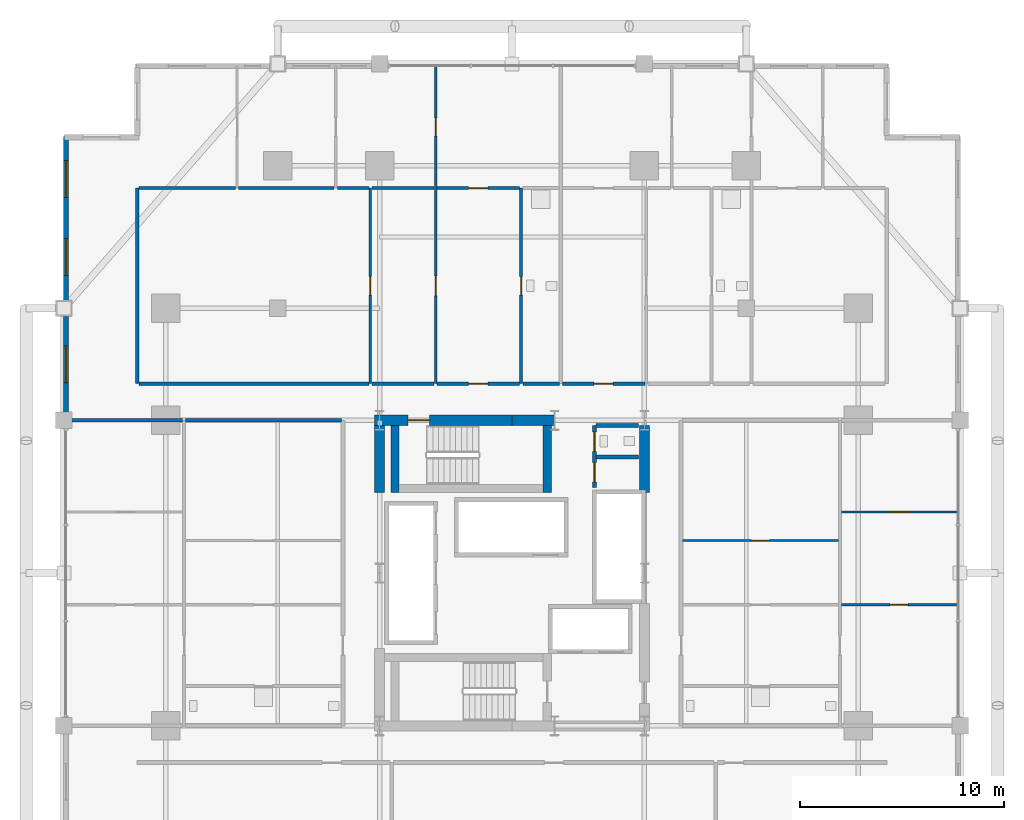
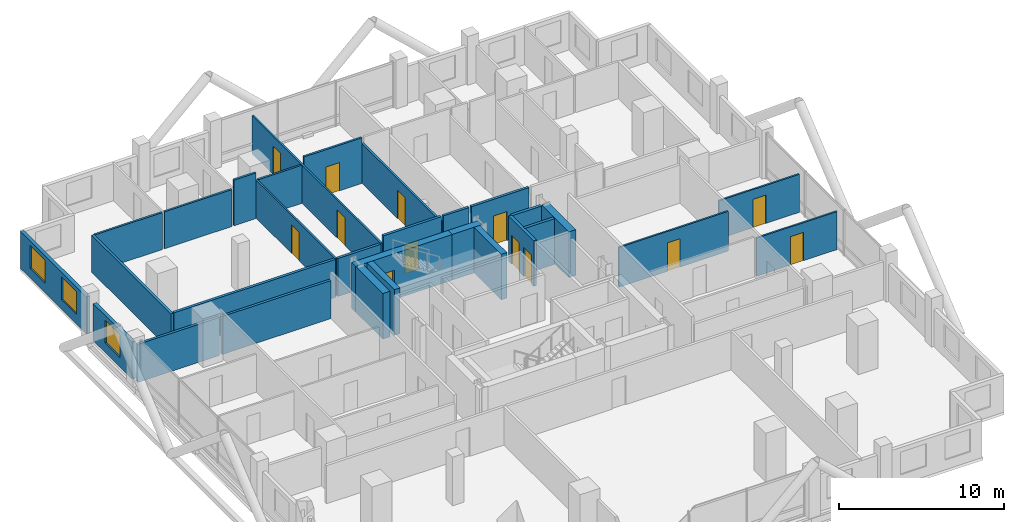
# One storey, part 23 of 27: 30 walls, 13 doors, 3 windows, 16 openings.
"""IFC4 building model written with IfcOpenShell, lengths in metres."""

from ifc_helpers import new_model, si_unit, direction, frame, frame_2d, origin, place, context, subcontext, project, spatial, rectangle, extrude, material, layer, layer_set, type_object, element, fill, save


model = new_model("IFC4")

# Units and contexts
model_context = context("Model", 3, precision=1e-05, world=origin(), true_north=direction((0.0, 1.0)))
body_context = subcontext(model_context, "Body", "Model", "MODEL_VIEW")
ifc_project = project(units=[si_unit("LENGTHUNIT", "METRE"), si_unit("AREAUNIT", "SQUARE_METRE"), si_unit("VOLUMEUNIT", "CUBIC_METRE"), si_unit("PLANEANGLEUNIT", "RADIAN"), si_unit("MASSUNIT", "GRAM", prefix="KILO")], contexts=[model_context])

# Site, building, storey
site_placement = place(None, origin())
site = spatial("IfcSite", under=ifc_project, at=site_placement, CompositionType="ELEMENT")
building_placement = place(site_placement, origin())
building = spatial("IfcBuilding", under=site, at=building_placement, Name="Barlavira Tower and Art Museum", CompositionType="ELEMENT")
storey_placement = place(building_placement, frame((0.0, 0.0, 61.199951171875)))
storey = spatial("IfcBuildingStorey", under=building, at=storey_placement, Name="L14", CompositionType="ELEMENT", Elevation=61.199951171875)

# Wall, opening, door
ifc_material_1 = material(Name="Gypsum acoustic stud partition", Category="gypsum")
ifc_layer_1 = layer(ifc_material_1, 0.1201171875, Name="Gypsum acoustic stud partition")
ifc_layer_set_1 = layer_set([ifc_layer_1], Name="Gypsum acoustic stud partition")
wall_type_1 = type_object("IfcWallType", Name="Apartment Internal Acoustic Partition 120", PredefinedType="PARTITIONING", material=ifc_layer_set_1)
wall_1_placement = place(storey_placement, frame((-6.949951171875, 9.300048828125, 0.0), z_axis=(0.0, 0.0, 1.0), x_axis=(0.0, 1.0, 0.0)))
wall_1 = element("IfcWall", 1, at=wall_1_placement, inside=storey, type_object=wall_type_1, Name="L14 Partition Wall 6", PredefinedType="PARTITIONING", context=body_context, shape_type="SweptSolid", body=[
    extrude(rectangle(XDim=9.599853515625, YDim=0.1201171875, at=frame_2d((4.7998046875, 0.0))), origin(), (0.0, 0.0, 1.0), 2.816162109375),
])
opening_1_placement = place(wall_1_placement, frame((4.35009765625, 0.0, 0.0)))
opening_1 = element("IfcOpeningElement", 2, at=opening_1_placement, cuts=wall_1, Name="Opening D-01", PredefinedType="OPENING", context=body_context, shape_type="SweptSolid", body=[
    extrude(rectangle(XDim=0.89990234375, YDim=2.10009765625, at=frame_2d((0.449951171875, 1.050048828125))), frame((0.0, 0.070068359375, 0.0), z_axis=(0.0, -1.0, 0.0), x_axis=(1.0, 0.0, 0.0)), (0.0, 0.0, 1.0), 0.14013671875),
])
ifc_material_2 = material(Name="Engineered coastal hardwood", Category="wood")
door_type_1 = type_object("IfcDoorType", Name="Internal Bedroom Timber Flush Door 900x2100", OperationType="NOTDEFINED", PredefinedType="DOOR", material=ifc_material_2)
door_1_placement = place(opening_1_placement, origin())
door_1 = element("IfcDoor", 3, at=door_1_placement, inside=storey, type_object=door_type_1, Name="Apartment N1 Walk-In Dressing Room Door", OperationType="SINGLE_SWING_LEFT", OverallHeight=2.10009765625, OverallWidth=0.89990234375, PredefinedType="DOOR", context=body_context, shape_type="SweptSolid", body=[
    extrude(rectangle(XDim=0.89990234375, YDim=2.10009765625, at=frame_2d((0.449951171875, 1.050048828125))), frame((0.0, 0.02490234375, 0.0), z_axis=(0.0, -1.0, 0.0), x_axis=(1.0, 0.0, 0.0)), (0.0, 0.0, 1.0), 0.050048828125),
])
fill(opening_1, door_1)

# Wall, openings, doors
wall_2_placement = place(storey_placement, frame((-3.75, 9.300048828125, 0.0), z_axis=(0.0, 0.0, 1.0), x_axis=(0.0, 1.0, 0.0)))
wall_2 = element("IfcWall", 4, at=wall_2_placement, inside=storey, type_object=wall_type_1, Name="L14 Partition Wall 8", PredefinedType="PARTITIONING", context=body_context, shape_type="SweptSolid", body=[
    extrude(rectangle(XDim=15.599853515625, YDim=0.1201171875, at=frame_2d((7.7998046875, 0.0))), origin(), (0.0, 0.0, 1.0), 2.816162109375),
])
opening_2_placement = place(wall_2_placement, frame((4.324951171875, 0.0, 0.0)))
opening_2 = element("IfcOpeningElement", 5, at=opening_2_placement, cuts=wall_2, Name="Opening D-02", PredefinedType="OPENING", context=body_context, shape_type="SweptSolid", body=[
    extrude(rectangle(XDim=0.949951171875, YDim=2.10009765625, at=frame_2d((0.47509765625, 1.050048828125))), frame((0.0, 0.070068359375, 0.0), z_axis=(0.0, -1.0, 0.0), x_axis=(1.0, 0.0, 0.0)), (0.0, 0.0, 1.0), 0.14013671875),
])
opening_3_placement = place(wall_2_placement, frame((12.14990234375, 0.0, 0.0)))
opening_3 = element("IfcOpeningElement", 6, at=opening_3_placement, cuts=wall_2, Name="Opening D-01", PredefinedType="OPENING", context=body_context, shape_type="SweptSolid", body=[
    extrude(rectangle(XDim=0.89990234375, YDim=2.10009765625, at=frame_2d((0.449951171875, 1.050048828125))), frame((0.0, 0.070068359375, 0.0), z_axis=(0.0, -1.0, 0.0), x_axis=(1.0, 0.0, 0.0)), (0.0, 0.0, 1.0), 0.14013671875),
])
door_2_placement = place(opening_3_placement, origin())
door_2 = element("IfcDoor", 7, at=door_2_placement, inside=storey, type_object=door_type_1, Name="Apartment N1 Bedroom 1 Door", OperationType="SINGLE_SWING_LEFT", OverallHeight=2.10009765625, OverallWidth=0.89990234375, PredefinedType="DOOR", context=body_context, shape_type="SweptSolid", body=[
    extrude(rectangle(XDim=0.89990234375, YDim=2.10009765625, at=frame_2d((0.449951171875, 1.050048828125))), frame((0.0, 0.02490234375, 0.0), z_axis=(0.0, -1.0, 0.0), x_axis=(1.0, 0.0, 0.0)), (0.0, 0.0, 1.0), 0.050048828125),
])
fill(opening_3, door_2)
door_type_2 = type_object("IfcDoorType", Name="Living and Salon Glazed-Leaf Door 950x2100", OperationType="NOTDEFINED", PredefinedType="DOOR", material=ifc_material_2)
door_3_placement = place(opening_2_placement, origin())
door_3 = element("IfcDoor", 8, at=door_3_placement, inside=storey, type_object=door_type_2, Name="Apartment N1 Kitchen Door", OperationType="SINGLE_SWING_RIGHT", OverallHeight=2.10009765625, OverallWidth=0.949951171875, PredefinedType="DOOR", context=body_context, shape_type="SweptSolid", body=[
    extrude(rectangle(XDim=0.949951171875, YDim=2.10009765625, at=frame_2d((0.47509765625, 1.050048828125))), frame((0.0, 0.02490234375, 0.0), z_axis=(0.0, -1.0, 0.0), x_axis=(1.0, 0.0, 0.0)), (0.0, 0.0, 1.0), 0.050048828125),
])
fill(opening_2, door_3)

# Wall, opening, door
wall_3_placement = place(storey_placement, frame((16.179931640625, -1.550048828125, 0.0), z_axis=(0.0, 0.0, 1.0), x_axis=(1.0, 0.0, 0.0)))
wall_3 = element("IfcWall", 9, at=wall_3_placement, inside=storey, type_object=wall_type_1, Name="L14 Partition Wall 33", PredefinedType="PARTITIONING", context=body_context, shape_type="SweptSolid", body=[
    extrude(rectangle(XDim=5.64013671875, YDim=0.1201171875, at=frame_2d((2.820068359375, 0.0))), origin(), (0.0, 0.0, 1.0), 2.816162109375),
])
opening_4_placement = place(wall_3_placement, frame((2.3701171875, 0.0, 0.0)))
opening_4 = element("IfcOpeningElement", 10, at=opening_4_placement, cuts=wall_3, Name="Opening D-01", PredefinedType="OPENING", context=body_context, shape_type="SweptSolid", body=[
    extrude(rectangle(XDim=0.89990234375, YDim=2.10009765625, at=frame_2d((0.449951171875, 1.050048828125))), frame((0.0, 0.070068359375, 0.0), z_axis=(0.0, -1.0, 0.0), x_axis=(1.0, 0.0, 0.0)), (0.0, 0.0, 1.0), 0.14013671875),
])
door_4_placement = place(opening_4_placement, origin())
door_4 = element("IfcDoor", 11, at=door_4_placement, inside=storey, type_object=door_type_1, Name="Apartment E1 Bedroom 1 Door", OperationType="SINGLE_SWING_RIGHT", OverallHeight=2.10009765625, OverallWidth=0.89990234375, PredefinedType="DOOR", context=body_context, shape_type="SweptSolid", body=[
    extrude(rectangle(XDim=0.89990234375, YDim=2.10009765625, at=frame_2d((0.449951171875, 1.050048828125))), frame((0.0, 0.02490234375, 0.0), z_axis=(0.0, -1.0, 0.0), x_axis=(1.0, 0.0, 0.0)), (0.0, 0.0, 1.0), 0.050048828125),
])
fill(opening_4, door_4)

wall_4_placement = place(storey_placement, frame((8.3798828125, 1.60009765625, 0.0), z_axis=(0.0, 0.0, 1.0), x_axis=(1.0, 0.0, 0.0)))
wall_4 = element("IfcWall", 12, at=wall_4_placement, inside=storey, type_object=wall_type_1, Name="L14 Partition Wall 35", PredefinedType="PARTITIONING", context=body_context, shape_type="SweptSolid", body=[
    extrude(rectangle(XDim=7.64013671875, YDim=0.1201171875, at=frame_2d((3.820068359375, 0.0))), origin(), (0.0, 0.0, 1.0), 2.947998046875),
])
opening_5_placement = place(wall_4_placement, frame((3.3701171875, 0.0, 0.0)))
opening_5 = element("IfcOpeningElement", 13, at=opening_5_placement, cuts=wall_4, Name="Opening D-01", PredefinedType="OPENING", context=body_context, shape_type="SweptSolid", body=[
    extrude(rectangle(XDim=0.89990234375, YDim=2.10009765625, at=frame_2d((0.449951171875, 1.050048828125))), frame((0.0, 0.070068359375, 0.0), z_axis=(0.0, -1.0, 0.0), x_axis=(1.0, 0.0, 0.0)), (0.0, 0.0, 1.0), 0.14013671875),
])
door_5_placement = place(opening_5_placement, origin())
door_5 = element("IfcDoor", 14, at=door_5_placement, inside=storey, type_object=door_type_1, Name="Apartment E1 Walk-In Dressing Room Door", OperationType="SINGLE_SWING_RIGHT", OverallHeight=2.10009765625, OverallWidth=0.89990234375, PredefinedType="DOOR", context=body_context, shape_type="SweptSolid", body=[
    extrude(rectangle(XDim=0.89990234375, YDim=2.10009765625, at=frame_2d((0.449951171875, 1.050048828125))), frame((0.0, 0.02490234375, 0.0), z_axis=(0.0, -1.0, 0.0), x_axis=(1.0, 0.0, 0.0)), (0.0, 0.0, 1.0), 0.050048828125),
])
fill(opening_5, door_5)

wall_5_placement = place(storey_placement, frame((16.179931640625, 3.0, 0.0), z_axis=(0.0, 0.0, 1.0), x_axis=(1.0, 0.0, 0.0)))
wall_5 = element("IfcWall", 15, at=wall_5_placement, inside=storey, type_object=wall_type_1, Name="L14 Partition Wall 37", PredefinedType="PARTITIONING", context=body_context, shape_type="SweptSolid", body=[
    extrude(rectangle(XDim=5.64013671875, YDim=0.1201171875, at=frame_2d((2.820068359375, 0.0))), origin(), (0.0, 0.0, 1.0), 2.816162109375),
])
opening_6_placement = place(wall_5_placement, frame((2.3701171875, 0.0, 0.0)))
opening_6 = element("IfcOpeningElement", 16, at=opening_6_placement, cuts=wall_5, Name="Opening D-01", PredefinedType="OPENING", context=body_context, shape_type="SweptSolid", body=[
    extrude(rectangle(XDim=0.89990234375, YDim=2.10009765625, at=frame_2d((0.449951171875, 1.050048828125))), frame((0.0, 0.070068359375, 0.0), z_axis=(0.0, -1.0, 0.0), x_axis=(1.0, 0.0, 0.0)), (0.0, 0.0, 1.0), 0.14013671875),
])
door_6_placement = place(opening_6_placement, origin())
door_6 = element("IfcDoor", 17, at=door_6_placement, inside=storey, type_object=door_type_1, Name="Apartment E1 Bedroom 2 Door", OperationType="SINGLE_SWING_LEFT", OverallHeight=2.10009765625, OverallWidth=0.89990234375, PredefinedType="DOOR", context=body_context, shape_type="SweptSolid", body=[
    extrude(rectangle(XDim=0.89990234375, YDim=2.10009765625, at=frame_2d((0.449951171875, 1.050048828125))), frame((0.0, 0.02490234375, 0.0), z_axis=(0.0, -1.0, 0.0), x_axis=(1.0, 0.0, 0.0)), (0.0, 0.0, 1.0), 0.050048828125),
])
fill(opening_6, door_6)

ifc_material_3 = material(Name="Concrete C60", Category="concrete")
ifc_layer_2 = layer(ifc_material_3, 0.5, Name="Concrete C60")
ifc_layer_set_2 = layer_set([ifc_layer_2], Name="Concrete C60")
wall_type_2 = type_object("IfcWallType", Name="Core Structural Shear Wall 500 Concrete C60", PredefinedType="SHEAR", material=ifc_layer_set_2)
wall_6_placement = place(storey_placement, frame((-6.75, 7.5, 0.0), z_axis=(0.0, 0.0, 1.0), x_axis=(1.0, 0.0, 0.0)))
wall_6 = element("IfcWall", 18, at=wall_6_placement, inside=storey, type_object=wall_type_2, Name="L14 Core Shear Wall CS-NW", PredefinedType="SHEAR", context=body_context, shape_type="SweptSolid", body=[
    extrude(rectangle(XDim=6.75, YDim=0.5, at=frame_2d((3.375, 0.0))), origin(), (0.0, 0.0, 1.0), 3.380126953125),
])
opening_7_placement = place(wall_6_placement, frame((1.64990234375, 0.0, 0.0)))
opening_7 = element("IfcOpeningElement", 19, at=opening_7_placement, cuts=wall_6, Name="Opening FD-90", PredefinedType="OPENING", context=body_context, shape_type="SweptSolid", body=[
    extrude(rectangle(XDim=1.050048828125, YDim=2.14990234375, at=frame_2d((0.52490234375, 1.074951171875))), frame((0.0, 0.260009765625, 0.0), z_axis=(0.0, -1.0, 0.0), x_axis=(1.0, 0.0, 0.0)), (0.0, 0.0, 1.0), 0.52001953125),
])
ifc_material_4 = material(Name="Brushed stainless steel", Category="steel")
door_type_3 = type_object("IfcDoorType", Name="Stair and Refuge Fire Door 1050x2150 FD90S", OperationType="NOTDEFINED", PredefinedType="DOOR", material=ifc_material_4)
door_7_placement = place(opening_7_placement, origin())
door_7 = element("IfcDoor", 20, at=door_7_placement, inside=storey, type_object=door_type_3, Name="L14 Stair ST-T2 Fire Door", OperationType="SINGLE_SWING_LEFT", OverallHeight=2.14990234375, OverallWidth=1.050048828125, PredefinedType="DOOR", context=body_context, shape_type="SweptSolid", body=[
    extrude(rectangle(XDim=1.050048828125, YDim=2.14990234375, at=frame_2d((0.52490234375, 1.074951171875))), frame((0.0, 0.02490234375, 0.0), z_axis=(0.0, -1.0, 0.0), x_axis=(1.0, 0.0, 0.0)), (0.0, 0.0, 1.0), 0.050048828125),
])
fill(opening_7, door_7)

# Walls
wall_7_placement = place(storey_placement, frame((0.0, 7.5, 0.0), z_axis=(0.0, 0.0, 1.0), x_axis=(1.0, 0.0, 0.0)))
element("IfcWall", 21, at=wall_7_placement, inside=storey, type_object=wall_type_2, Name="L14 Core Shear Wall CS-EN", PredefinedType="SHEAR", context=body_context, shape_type="SweptSolid", body=[
    extrude(rectangle(XDim=2.080078125, YDim=0.5, at=frame_2d((1.0400390625, 0.0))), origin(), (0.0, 0.0, 1.0), 3.380126953125),
])
for number, where, z_axis, x_axis, name in (
    (22, (-6.5, 3.949951171875, 0.0), (0.0, 0.0, 1.0), (0.0, 1.0, 0.0), "L14 Core Shear Wall CS-W2"),
    (23, (6.5, 3.949951171875, 0.0), (0.0, 0.0, 1.0), (0.0, 1.0, 0.0), "L14 Core Shear Wall CS-E2"),
):
    element("IfcWall", number, at=place(storey_placement, frame(where, z_axis=z_axis, x_axis=x_axis)), inside=storey, type_object=wall_type_2, Name=name, PredefinedType="SHEAR", context=body_context, shape_type="SweptSolid", body=[
        extrude(rectangle(XDim=3.300048828125, YDim=0.5, at=frame_2d((1.64990234375, 0.0))), origin(), (0.0, 0.0, 1.0), 3.380126953125),
    ])

# Wall, openings, doors
ifc_material_5 = material(Name="Autoclaved aerated concrete masonry", Category="masonry")
ifc_layer_3 = layer(ifc_material_5, 0.199951171875, Name="Autoclaved aerated concrete masonry")
ifc_layer_set_3 = layer_set([ifc_layer_3], Name="Autoclaved aerated concrete masonry")
wall_type_3 = type_object("IfcWallType", Name="Fire Compartment and Shaft Wall 200", PredefinedType="SOLIDWALL", material=ifc_layer_set_3)
wall_8_placement = place(storey_placement, frame((4.050048828125, 4.199951171875, 0.0), z_axis=(0.0, 0.0, 1.0), x_axis=(0.0, 1.0, 0.0)))
wall_8 = element("IfcWall", 24, at=wall_8_placement, inside=storey, type_object=wall_type_3, Name="L14 Partition Wall 11", PredefinedType="SOLIDWALL", context=body_context, shape_type="SweptSolid", body=[
    extrude(rectangle(XDim=3.050048828125, YDim=0.199951171875, at=frame_2d((1.52490234375, 0.0))), origin(), (0.0, 0.0, 1.0), 3.380126953125),
])
opening_8_placement = place(wall_8_placement, frame((0.27490234375, 0.0, 0.0)))
opening_8 = element("IfcOpeningElement", 25, at=opening_8_placement, cuts=wall_8, Name="Opening FD-60", PredefinedType="OPENING", context=body_context, shape_type="SweptSolid", body=[
    extrude(rectangle(XDim=0.949951171875, YDim=2.14990234375, at=frame_2d((0.47509765625, 1.074951171875))), frame((0.0, 0.10986328125, 0.0), z_axis=(0.0, -1.0, 0.0), x_axis=(1.0, 0.0, 0.0)), (0.0, 0.0, 1.0), 0.219970703125),
])
opening_9_placement = place(wall_8_placement, frame((1.77490234375, 0.0, 0.0)))
opening_9 = element("IfcOpeningElement", 26, at=opening_9_placement, cuts=wall_8, Name="Opening FD-60", PredefinedType="OPENING", context=body_context, shape_type="SweptSolid", body=[
    extrude(rectangle(XDim=0.949951171875, YDim=2.14990234375, at=frame_2d((0.47509765625, 1.074951171875))), frame((0.0, 0.10986328125, 0.0), z_axis=(0.0, -1.0, 0.0), x_axis=(1.0, 0.0, 0.0)), (0.0, 0.0, 1.0), 0.219970703125),
])
door_type_4 = type_object("IfcDoorType", Name="Apartment Entrance and Riser Fire Door 950x2150 FD60S", OperationType="NOTDEFINED", PredefinedType="DOOR", material=ifc_material_4)
door_8_placement = place(opening_8_placement, origin())
door_8 = element("IfcDoor", 27, at=door_8_placement, inside=storey, type_object=door_type_4, Name="Electrical Switchgear Room Door", OperationType="SINGLE_SWING_LEFT", OverallHeight=2.14990234375, OverallWidth=0.949951171875, PredefinedType="DOOR", context=body_context, shape_type="SweptSolid", body=[
    extrude(rectangle(XDim=0.949951171875, YDim=2.14990234375, at=frame_2d((0.47509765625, 1.074951171875))), frame((0.0, 0.02490234375, 0.0), z_axis=(0.0, -1.0, 0.0), x_axis=(1.0, 0.0, 0.0)), (0.0, 0.0, 1.0), 0.050048828125),
])
fill(opening_8, door_8)
door_9_placement = place(opening_9_placement, origin())
door_9 = element("IfcDoor", 28, at=door_9_placement, inside=storey, type_object=door_type_4, Name="Core Staff Toilet Door", OperationType="SINGLE_SWING_RIGHT", OverallHeight=2.14990234375, OverallWidth=0.949951171875, PredefinedType="DOOR", context=body_context, shape_type="SweptSolid", body=[
    extrude(rectangle(XDim=0.949951171875, YDim=2.14990234375, at=frame_2d((0.47509765625, 1.074951171875))), frame((0.0, 0.02490234375, 0.0), z_axis=(0.0, -1.0, 0.0), x_axis=(1.0, 0.0, 0.0)), (0.0, 0.0, 1.0), 0.050048828125),
])
fill(opening_9, door_9)

# Walls
for number, where, z_axis, x_axis, name in (
    (29, (4.1298828125, 5.699951171875, 0.0), (0.0, 0.0, 1.0), (1.0, 0.0, 0.0), "L14 Partition Wall 38"),
    (30, (4.1298828125, 7.25, 0.0), (0.0, 0.0, 1.0), (1.0, 0.0, 0.0), "L14 Partition Wall 39"),
):
    element("IfcWall", number, at=place(storey_placement, frame(where, z_axis=z_axis, x_axis=x_axis)), inside=storey, type_object=wall_type_3, Name=name, PredefinedType="SOLIDWALL", context=body_context, shape_type="SweptSolid", body=[
        extrude(rectangle(XDim=2.070068359375, YDim=0.199951171875, at=frame_2d((1.03515625, 0.0))), origin(), (0.0, 0.0, 1.0), 3.380126953125),
    ])
ifc_layer_4 = layer(ifc_material_1, 0.179931640625, Name="Gypsum acoustic stud partition")
ifc_layer_set_4 = layer_set([ifc_layer_4], Name="Gypsum acoustic stud partition")
wall_type_4 = type_object("IfcWallType", Name="Inter-Tenancy Party Partition Wall 180", PredefinedType="PARTITIONING", material=ifc_layer_set_4)
wall_9_placement = place(storey_placement, frame((-18.39990234375, 9.300048828125, 0.0), z_axis=(0.0, 0.0, 1.0), x_axis=(0.0, 1.0, 0.0)))
element("IfcWall", 31, at=wall_9_placement, inside=storey, type_object=wall_type_4, Name="L14 Partition Wall 1", PredefinedType="PARTITIONING", context=body_context, shape_type="SweptSolid", body=[
    extrude(rectangle(XDim=9.599853515625, YDim=0.179931640625, at=frame_2d((4.7998046875, 0.0))), origin(), (0.0, 0.0, 1.0), 2.736083984375),
])
wall_10_placement = place(storey_placement, frame((-21.89990234375, 7.5, 0.0), z_axis=(0.0, 0.0, 1.0), x_axis=(1.0, 0.0, 0.0)))
element("IfcWall", 32, at=wall_10_placement, inside=storey, type_object=wall_type_4, Name="L14 Partition Wall 40", PredefinedType="PARTITIONING", context=body_context, shape_type="SweptSolid", body=[
    extrude(rectangle(XDim=5.719970703125, YDim=0.179931640625, at=frame_2d((2.85986328125, 0.0))), origin(), (0.0, 0.0, 1.0), 2.816162109375),
])
wall_11_placement = place(storey_placement, frame((-16.02001953125, 7.5, 0.0), z_axis=(0.0, 0.0, 1.0), x_axis=(1.0, 0.0, 0.0)))
element("IfcWall", 33, at=wall_11_placement, inside=storey, type_object=wall_type_4, Name="L14 Partition Wall 41", PredefinedType="PARTITIONING", context=body_context, shape_type="SweptSolid", body=[
    extrude(rectangle(XDim=7.64013671875, YDim=0.179931640625, at=frame_2d((3.820068359375, 0.0))), origin(), (0.0, 0.0, 1.0), 2.816162109375),
])
wall_12_placement = place(storey_placement, frame((-18.320068359375, 9.300048828125, 0.0), z_axis=(0.0, 0.0, 1.0), x_axis=(1.0, 0.0, 0.0)))
element("IfcWall", 34, at=wall_12_placement, inside=storey, type_object=wall_type_4, Name="L14 Partition Wall 44", PredefinedType="PARTITIONING", context=body_context, shape_type="SweptSolid", body=[
    extrude(rectangle(XDim=11.2900390625, YDim=0.179931640625, at=frame_2d((5.64501953125, 0.0))), origin(), (0.0, 0.0, 1.0), 2.816162109375),
])
wall_13_placement = place(storey_placement, frame((-6.8701171875, 9.300048828125, 0.0), z_axis=(0.0, 0.0, 1.0), x_axis=(1.0, 0.0, 0.0)))
element("IfcWall", 35, at=wall_13_placement, inside=storey, type_object=wall_type_4, Name="L14 Partition Wall 45", PredefinedType="PARTITIONING", context=body_context, shape_type="SweptSolid", body=[
    extrude(rectangle(XDim=3.0400390625, YDim=0.179931640625, at=frame_2d((1.52001953125, 0.0))), origin(), (0.0, 0.0, 1.0), 2.816162109375),
])

# Wall, opening, door
wall_14_placement = place(storey_placement, frame((-3.669921875, 9.300048828125, 0.0), z_axis=(0.0, 0.0, 1.0), x_axis=(1.0, 0.0, 0.0)))
wall_14 = element("IfcWall", 36, at=wall_14_placement, inside=storey, type_object=wall_type_4, Name="L14 Partition Wall 46", PredefinedType="PARTITIONING", context=body_context, shape_type="SweptSolid", body=[
    extrude(rectangle(XDim=4.0400390625, YDim=0.179931640625, at=frame_2d((2.02001953125, 0.0))), origin(), (0.0, 0.0, 1.0), 3.380126953125),
])
opening_10_placement = place(wall_14_placement, frame((1.534912109375, 0.0, 0.0)))
opening_10 = element("IfcOpeningElement", 37, at=opening_10_placement, cuts=wall_14, Name="Opening FD-60", PredefinedType="OPENING", context=body_context, shape_type="SweptSolid", body=[
    extrude(rectangle(XDim=0.949951171875, YDim=2.14990234375, at=frame_2d((0.47509765625, 1.074951171875))), frame((0.0, 0.10009765625, 0.0), z_axis=(0.0, -1.0, 0.0), x_axis=(1.0, 0.0, 0.0)), (0.0, 0.0, 1.0), 0.199951171875),
])
door_10_placement = place(opening_10_placement, origin())
door_10 = element("IfcDoor", 38, at=door_10_placement, inside=storey, type_object=door_type_4, Name="Apartment Entrance Hall N1 Door", OperationType="SINGLE_SWING_LEFT", OverallHeight=2.14990234375, OverallWidth=0.949951171875, PredefinedType="DOOR", context=body_context, shape_type="SweptSolid", body=[
    extrude(rectangle(XDim=0.949951171875, YDim=2.14990234375, at=frame_2d((0.47509765625, 1.074951171875))), frame((0.0, 0.02490234375, 0.0), z_axis=(0.0, -1.0, 0.0), x_axis=(1.0, 0.0, 0.0)), (0.0, 0.0, 1.0), 0.050048828125),
])
fill(opening_10, door_10)

# Wall
wall_15_placement = place(storey_placement, frame((0.530029296875, 9.300048828125, 0.0), z_axis=(0.0, 0.0, 1.0), x_axis=(1.0, 0.0, 0.0)))
element("IfcWall", 39, at=wall_15_placement, inside=storey, type_object=wall_type_4, Name="L14 Partition Wall 47", PredefinedType="PARTITIONING", context=body_context, shape_type="SweptSolid", body=[
    extrude(rectangle(XDim=1.7900390625, YDim=0.179931640625, at=frame_2d((0.89501953125, 0.0))), origin(), (0.0, 0.0, 1.0), 3.380126953125),
])

# Wall, opening, door
wall_16_placement = place(storey_placement, frame((2.47998046875, 9.300048828125, 0.0), z_axis=(0.0, 0.0, 1.0), x_axis=(1.0, 0.0, 0.0)))
wall_16 = element("IfcWall", 40, at=wall_16_placement, inside=storey, type_object=wall_type_4, Name="L14 Partition Wall 48", PredefinedType="PARTITIONING", context=body_context, shape_type="SweptSolid", body=[
    extrude(rectangle(XDim=4.0400390625, YDim=0.179931640625, at=frame_2d((2.02001953125, 0.0))), origin(), (0.0, 0.0, 1.0), 3.380126953125),
])
opening_11_placement = place(wall_16_placement, frame((1.534912109375, 0.0, 0.0)))
opening_11 = element("IfcOpeningElement", 41, at=opening_11_placement, cuts=wall_16, Name="Opening FD-60", PredefinedType="OPENING", context=body_context, shape_type="SweptSolid", body=[
    extrude(rectangle(XDim=0.949951171875, YDim=2.14990234375, at=frame_2d((0.47509765625, 1.074951171875))), frame((0.0, 0.10009765625, 0.0), z_axis=(0.0, -1.0, 0.0), x_axis=(1.0, 0.0, 0.0)), (0.0, 0.0, 1.0), 0.199951171875),
])
door_11_placement = place(opening_11_placement, origin())
door_11 = element("IfcDoor", 42, at=door_11_placement, inside=storey, type_object=door_type_4, Name="Apartment Entrance Hall N2 Door", OperationType="SINGLE_SWING_RIGHT", OverallHeight=2.14990234375, OverallWidth=0.949951171875, PredefinedType="DOOR", context=body_context, shape_type="SweptSolid", body=[
    extrude(rectangle(XDim=0.949951171875, YDim=2.14990234375, at=frame_2d((0.47509765625, 1.074951171875))), frame((0.0, 0.02490234375, 0.0), z_axis=(0.0, -1.0, 0.0), x_axis=(1.0, 0.0, 0.0)), (0.0, 0.0, 1.0), 0.050048828125),
])
fill(opening_11, door_11)

ifc_layer_5 = layer(ifc_material_1, 0.139892578125, Name="Gypsum acoustic stud partition")
ifc_layer_set_5 = layer_set([ifc_layer_5], Name="Gypsum acoustic stud partition")
wall_type_5 = type_object("IfcWallType", Name="Moisture-Resistant Bathroom Partition 140", PredefinedType="PARTITIONING", material=ifc_layer_set_5)
wall_17_placement = place(storey_placement, frame((0.449951171875, 9.300048828125, 0.0), z_axis=(0.0, 0.0, 1.0), x_axis=(0.0, 1.0, 0.0)))
wall_17 = element("IfcWall", 43, at=wall_17_placement, inside=storey, type_object=wall_type_5, Name="L14 Partition Wall 9", PredefinedType="PARTITIONING", context=body_context, shape_type="SweptSolid", body=[
    extrude(rectangle(XDim=9.599853515625, YDim=0.139892578125, at=frame_2d((4.7998046875, 0.0))), origin(), (0.0, 0.0, 1.0), 2.947998046875),
])
opening_12_placement = place(wall_17_placement, frame((4.35009765625, 0.0, 0.0)))
opening_12 = element("IfcOpeningElement", 44, at=opening_12_placement, cuts=wall_17, Name="Opening D-WC", PredefinedType="OPENING", context=body_context, shape_type="SweptSolid", body=[
    extrude(rectangle(XDim=0.89990234375, YDim=2.10009765625, at=frame_2d((0.449951171875, 1.050048828125))), frame((0.0, 0.080078125, 0.0), z_axis=(0.0, -1.0, 0.0), x_axis=(1.0, 0.0, 0.0)), (0.0, 0.0, 1.0), 0.159912109375),
])
door_type_5 = type_object("IfcDoorType", Name="Accessible Bathroom Flush Door 900x2100", OperationType="NOTDEFINED", PredefinedType="DOOR", material=ifc_material_2)
door_12_placement = place(opening_12_placement, origin())
door_12 = element("IfcDoor", 45, at=door_12_placement, inside=storey, type_object=door_type_5, Name="Apartment N1 Hall Bathroom Door", OperationType="SINGLE_SWING_RIGHT", OverallHeight=2.10009765625, OverallWidth=0.89990234375, PredefinedType="DOOR", context=body_context, shape_type="SweptSolid", body=[
    extrude(rectangle(XDim=0.89990234375, YDim=2.10009765625, at=frame_2d((0.449951171875, 1.050048828125))), frame((0.0, 0.02490234375, 0.0), z_axis=(0.0, -1.0, 0.0), x_axis=(1.0, 0.0, 0.0)), (0.0, 0.0, 1.0), 0.050048828125),
])
fill(opening_12, door_12)

# Walls
wall_18_placement = place(storey_placement, frame((-18.320068359375, 18.89990234375, 0.0), z_axis=(0.0, 0.0, 1.0), x_axis=(1.0, 0.0, 0.0)))
element("IfcWall", 46, at=wall_18_placement, inside=storey, type_object=wall_type_5, Name="L14 Partition Wall 52", PredefinedType="PARTITIONING", context=body_context, shape_type="SweptSolid", body=[
    extrude(rectangle(XDim=4.739990234375, YDim=0.139892578125, at=frame_2d((2.3701171875, 0.0))), origin(), (0.0, 0.0, 1.0), 2.736083984375),
])
wall_19_placement = place(storey_placement, frame((-13.419921875, 18.89990234375, 0.0), z_axis=(0.0, 0.0, 1.0), x_axis=(1.0, 0.0, 0.0)))
element("IfcWall", 47, at=wall_19_placement, inside=storey, type_object=wall_type_5, Name="L14 Partition Wall 53", PredefinedType="PARTITIONING", context=body_context, shape_type="SweptSolid", body=[
    extrude(rectangle(XDim=4.68994140625, YDim=0.139892578125, at=frame_2d((2.344970703125, 0.0))), origin(), (0.0, 0.0, 1.0), 2.736083984375),
])
wall_20_placement = place(storey_placement, frame((-8.570068359375, 18.89990234375, 0.0), z_axis=(0.0, 0.0, 1.0), x_axis=(1.0, 0.0, 0.0)))
element("IfcWall", 48, at=wall_20_placement, inside=storey, type_object=wall_type_5, Name="L14 Partition Wall 54", PredefinedType="PARTITIONING", context=body_context, shape_type="SweptSolid", body=[
    extrude(rectangle(XDim=1.5400390625, YDim=0.139892578125, at=frame_2d((0.77001953125, 0.0))), origin(), (0.0, 0.0, 1.0), 3.380126953125),
])
wall_21_placement = place(storey_placement, frame((-6.8701171875, 18.89990234375, 0.0), z_axis=(0.0, 0.0, 1.0), x_axis=(1.0, 0.0, 0.0)))
element("IfcWall", 49, at=wall_21_placement, inside=storey, type_object=wall_type_5, Name="L14 Partition Wall 55", PredefinedType="PARTITIONING", context=body_context, shape_type="SweptSolid", body=[
    extrude(rectangle(XDim=3.0400390625, YDim=0.139892578125, at=frame_2d((1.52001953125, 0.0))), origin(), (0.0, 0.0, 1.0), 2.816162109375),
])

# Wall, opening, door
wall_22_placement = place(storey_placement, frame((-3.669921875, 18.89990234375, 0.0), z_axis=(0.0, 0.0, 1.0), x_axis=(1.0, 0.0, 0.0)))
wall_22 = element("IfcWall", 50, at=wall_22_placement, inside=storey, type_object=wall_type_5, Name="L14 Partition Wall 56", PredefinedType="PARTITIONING", context=body_context, shape_type="SweptSolid", body=[
    extrude(rectangle(XDim=4.0400390625, YDim=0.139892578125, at=frame_2d((2.02001953125, 0.0))), origin(), (0.0, 0.0, 1.0), 3.380126953125),
])
opening_13_placement = place(wall_22_placement, frame((1.534912109375, 0.0, 0.0)))
opening_13 = element("IfcOpeningElement", 51, at=opening_13_placement, cuts=wall_22, Name="Opening D-02", PredefinedType="OPENING", context=body_context, shape_type="SweptSolid", body=[
    extrude(rectangle(XDim=0.949951171875, YDim=2.10009765625, at=frame_2d((0.47509765625, 1.050048828125))), frame((0.0, 0.080078125, 0.0), z_axis=(0.0, -1.0, 0.0), x_axis=(1.0, 0.0, 0.0)), (0.0, 0.0, 1.0), 0.159912109375),
])
door_13_placement = place(opening_13_placement, origin())
door_13 = element("IfcDoor", 52, at=door_13_placement, inside=storey, type_object=door_type_2, Name="Apartment N1 Living Lounge Door", OperationType="SINGLE_SWING_RIGHT", OverallHeight=2.10009765625, OverallWidth=0.949951171875, PredefinedType="DOOR", context=body_context, shape_type="SweptSolid", body=[
    extrude(rectangle(XDim=0.949951171875, YDim=2.10009765625, at=frame_2d((0.47509765625, 1.050048828125))), frame((0.0, 0.02490234375, 0.0), z_axis=(0.0, -1.0, 0.0), x_axis=(1.0, 0.0, 0.0)), (0.0, 0.0, 1.0), 0.050048828125),
])
fill(opening_13, door_13)

# Wall, openings, windows
ifc_material_6 = material(Name="Precast concrete C40", Category="concrete")
ifc_layer_6 = layer(ifc_material_6, 0.25, Name="Precast concrete C40")
ifc_layer_set_6 = layer_set([ifc_layer_6], Name="Precast concrete C40")
wall_type_6 = type_object("IfcWallType", Name="Notched Corner Spandrel Wall 250 Precast Concrete C40", PredefinedType="SOLIDWALL", material=ifc_layer_set_6)
wall_23_placement = place(storey_placement, frame((-21.89990234375, 21.425048828125, 0.0), z_axis=(0.0, 0.0, 1.0), x_axis=(0.0, -1.0, 0.0)))
wall_23 = element("IfcWall", 53, at=wall_23_placement, inside=storey, type_object=wall_type_6, Name="L14 Coastal Facade Pier Wall CW1-L14-W-1", PredefinedType="SOLIDWALL", context=body_context, shape_type="SweptSolid", body=[
    extrude(rectangle(XDim=8.030029296875, YDim=0.25, at=frame_2d((4.01513671875, 0.0))), origin(), (0.0, 0.0, 1.0), 2.736083984375),
])
opening_14_placement = place(wall_23_placement, frame((1.176025390625, 0.0, 0.719970703125)))
opening_14 = element("IfcOpeningElement", 54, at=opening_14_placement, cuts=wall_23, Name="Opening WN-01", PredefinedType="OPENING", context=body_context, shape_type="SweptSolid", body=[
    extrude(rectangle(XDim=1.800048828125, YDim=1.679931640625, at=frame_2d((0.89990234375, 0.83984375))), frame((0.0, 0.135009765625, 0.0), z_axis=(0.0, -1.0, 0.0), x_axis=(1.0, 0.0, 0.0)), (0.0, 0.0, 1.0), 0.27001953125),
])
opening_15_placement = place(wall_23_placement, frame((5.009033203125, 0.0, 0.719970703125)))
opening_15 = element("IfcOpeningElement", 55, at=opening_15_placement, cuts=wall_23, Name="Opening WN-01", PredefinedType="OPENING", context=body_context, shape_type="SweptSolid", body=[
    extrude(rectangle(XDim=1.800048828125, YDim=1.679931640625, at=frame_2d((0.89990234375, 0.83984375))), frame((0.0, 0.135009765625, 0.0), z_axis=(0.0, -1.0, 0.0), x_axis=(1.0, 0.0, 0.0)), (0.0, 0.0, 1.0), 0.27001953125),
])
ifc_material_7 = material(Name="Low-iron coastal laminated glass", Category="glass")
window_type = type_object("IfcWindowType", Name="Recessed Notch Corner Punch Window 1800x1680", PartitioningType="SINGLE_PANEL", PredefinedType="WINDOW", material=ifc_material_7)
window_1_placement = place(opening_14_placement, origin())
window_1 = element("IfcWindow", 56, at=window_1_placement, inside=storey, type_object=window_type, Name="L14 Punched Facade Window EWP-CW1-L14-W-1-1", OverallHeight=1.679931640625, OverallWidth=1.800048828125, PartitioningType="SINGLE_PANEL", PredefinedType="WINDOW", context=body_context, shape_type="SweptSolid", body=[
    extrude(rectangle(XDim=1.800048828125, YDim=1.679931640625, at=frame_2d((0.89990234375, 0.83984375))), frame((0.0, 0.030029296875, 0.0), z_axis=(0.0, -1.0, 0.0), x_axis=(1.0, 0.0, 0.0)), (0.0, 0.0, 1.0), 0.06005859375),
])
fill(opening_14, window_1)
window_2_placement = place(opening_15_placement, origin())
window_2 = element("IfcWindow", 57, at=window_2_placement, inside=storey, type_object=window_type, Name="L14 Punched Facade Window EWP-CW1-L14-W-1-2", OverallHeight=1.679931640625, OverallWidth=1.800048828125, PartitioningType="SINGLE_PANEL", PredefinedType="WINDOW", context=body_context, shape_type="SweptSolid", body=[
    extrude(rectangle(XDim=1.800048828125, YDim=1.679931640625, at=frame_2d((0.89990234375, 0.83984375))), frame((0.0, 0.030029296875, 0.0), z_axis=(0.0, -1.0, 0.0), x_axis=(1.0, 0.0, 0.0)), (0.0, 0.0, 1.0), 0.06005859375),
])
fill(opening_15, window_2)

# Wall, opening, window
wall_24_placement = place(storey_placement, frame((-21.89990234375, 12.60498046875, 0.0), z_axis=(0.0, 0.0, 1.0), x_axis=(0.0, -1.0, 0.0)))
wall_24 = element("IfcWall", 58, at=wall_24_placement, inside=storey, type_object=wall_type_6, Name="L14 Coastal Facade Pier Wall CW1-L14-W-2", PredefinedType="SOLIDWALL", context=body_context, shape_type="SweptSolid", body=[
    extrude(rectangle(XDim=4.7099609375, YDim=0.25, at=frame_2d((2.35498046875, 0.0))), origin(), (0.0, 0.0, 1.0), 2.736083984375),
])
opening_16_placement = place(wall_24_placement, frame((1.455078125, 0.0, 0.719970703125)))
opening_16 = element("IfcOpeningElement", 59, at=opening_16_placement, cuts=wall_24, Name="Opening WN-01", PredefinedType="OPENING", context=body_context, shape_type="SweptSolid", body=[
    extrude(rectangle(XDim=1.800048828125, YDim=1.679931640625, at=frame_2d((0.89990234375, 0.83984375))), frame((0.0, 0.135009765625, 0.0), z_axis=(0.0, -1.0, 0.0), x_axis=(1.0, 0.0, 0.0)), (0.0, 0.0, 1.0), 0.27001953125),
])
window_3_placement = place(opening_16_placement, origin())
window_3 = element("IfcWindow", 60, at=window_3_placement, inside=storey, type_object=window_type, Name="L14 Punched Facade Window EWP-CW1-L14-W-2-1", OverallHeight=1.679931640625, OverallWidth=1.800048828125, PartitioningType="SINGLE_PANEL", PredefinedType="WINDOW", context=body_context, shape_type="SweptSolid", body=[
    extrude(rectangle(XDim=1.800048828125, YDim=1.679931640625, at=frame_2d((0.89990234375, 0.83984375))), frame((0.0, 0.030029296875, 0.0), z_axis=(0.0, -1.0, 0.0), x_axis=(1.0, 0.0, 0.0)), (0.0, 0.0, 1.0), 0.06005859375),
])
fill(opening_16, window_3)

# Walls
ifc_material_8 = material(Name="Concrete C55", Category="concrete")
ifc_layer_7 = layer(ifc_material_8, 0.39990234375, Name="Concrete C55")
ifc_layer_set_7 = layer_set([ifc_layer_7], Name="Concrete C55")
wall_type_7 = type_object("IfcWallType", Name="Upper Core Shear Wall 400 Concrete C55", PredefinedType="SHEAR", material=ifc_layer_set_7)
for number, where, z_axis, x_axis, name in (
    (61, (1.72998046875, 3.949951171875, 0.0), (0.0, 0.0, 1.0), (0.0, 1.0, 0.0), "L14 ST-T2 East Half-Landing Wall"),
    (62, (-5.75, 3.949951171875, 0.0), (0.0, 0.0, 1.0), (0.0, 1.0, 0.0), "L14 ST-T2 West Shaft Wall"),
):
    element("IfcWall", number, at=place(storey_placement, frame(where, z_axis=z_axis, x_axis=x_axis)), inside=storey, type_object=wall_type_7, Name=name, PredefinedType="SHEAR", context=body_context, shape_type="SweptSolid", body=[
        extrude(rectangle(XDim=3.300048828125, YDim=0.39990234375, at=frame_2d((1.64990234375, 0.0))), origin(), (0.0, 0.0, 1.0), 3.380126953125),
    ])

save(model, "model.ifc")
